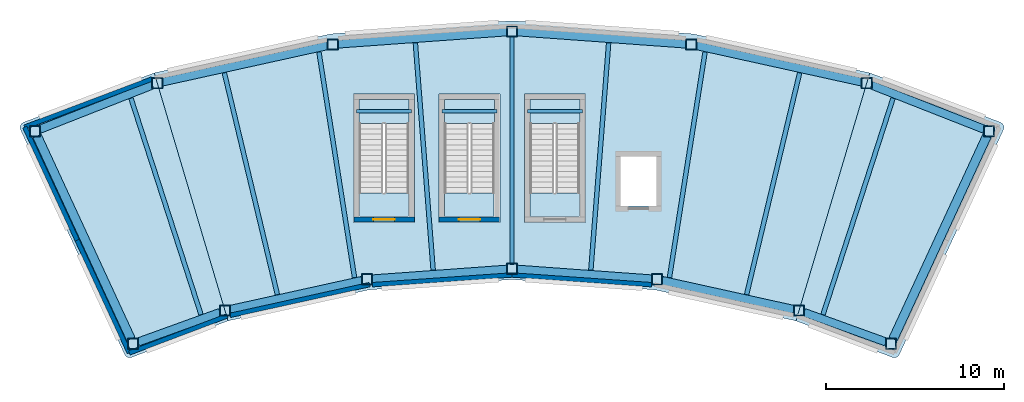
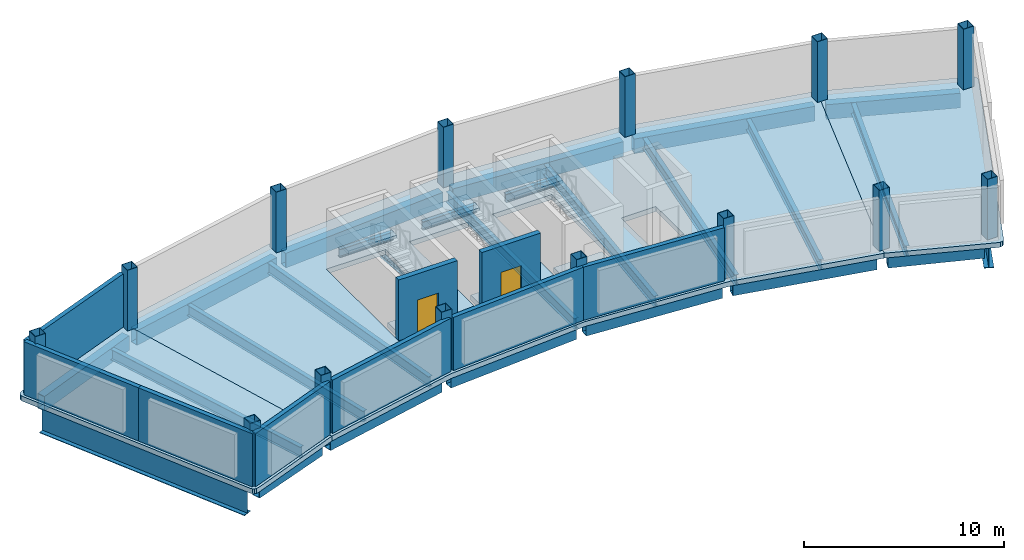
# One storey, part 1 of 3: 26 beams, 14 columns, 9 slabs, 9 walls, 2 doors, 2 openings, 3 elements without a shape of their own.
"""IFC4 building model written with IfcOpenShell, lengths in metres."""

from ifc_helpers import new_model, si_unit, direction, frame, frame_2d, origin, origin_2d, place, context, subcontext, project, spatial, polyline, rectangle, hollow_rectangle, i_section, outline, extrude, material, layer, layer_set, material_profile, profile_set, type_object, element, fill, aggregate, save


model = new_model("IFC4")

# Units and contexts
model_context = context("Model", 3, precision=1e-05, world=origin(), true_north=direction((0.0, 1.0)))
body_context = subcontext(model_context, "Body", "Model", "MODEL_VIEW")
ifc_project = project(units=[si_unit("LENGTHUNIT", "METRE"), si_unit("AREAUNIT", "SQUARE_METRE"), si_unit("VOLUMEUNIT", "CUBIC_METRE"), si_unit("PLANEANGLEUNIT", "RADIAN"), si_unit("MASSUNIT", "GRAM", prefix="KILO")], contexts=[model_context])

# Site, building, storey
site_placement = place(None, origin())
site = spatial("IfcSite", under=ifc_project, at=site_placement, CompositionType="ELEMENT")
building_placement = place(site_placement, origin())
building = spatial("IfcBuilding", under=site, at=building_placement, Name="Tuul Gate Civic Tower", CompositionType="ELEMENT")
storey_placement = place(building_placement, frame((0.0, 0.0, 372.10009765625)))
storey = spatial("IfcBuildingStorey", under=building, at=storey_placement, Name="Crown tier 2 upper", CompositionType="ELEMENT", Elevation=372.10009765625)

# Columns
ifc_material_1 = material(Name="Steel S355", Category="steel")
ifc_material_profile_1 = material_profile(ifc_material_1, hollow_rectangle(XDim=0.60009765625, YDim=0.60009765625, WallThickness=0.02490234375, at=origin_2d()), Name="BOX600x600x25")
ifc_profile_set_1 = profile_set([ifc_material_profile_1], Name="Steel S355")
column_type = type_object("IfcColumnType", Name="STR-COLUMN-BOX600x600x25", PredefinedType="COLUMN", material=ifc_profile_set_1)
for number, where, z_axis, x_axis, name in (
    (1, (29.001953125, 4.2119140625, 0.0), (0.0, 0.0, 1.0), (1.0, 0.0, 0.0), "Column"),
    (2, (22.125, 6.9140625, 0.0), (0.0, 0.0, 1.0), (1.0, 0.0, 0.0), "Column"),
    (3, (12.263916015625, 9.087890625, 0.0), (0.0, 0.0, 1.0), (1.0, 0.0, 0.0), "Column"),
    (4, (2.19189453125, 9.81689453125, 0.0), (0.0, 0.0, 1.0), (1.0, 0.0, 0.0), "Column"),
    (5, (-7.8798828125, 9.087890625, 0.0), (0.0, 0.0, 1.0), (1.0, 0.0, 0.0), "Column"),
    (6, (-17.740966796875, 6.9140625, 0.0), (0.0, 0.0, 1.0), (1.0, 0.0, 0.0), "Column"),
    (7, (-24.617919921875, 4.2119140625, 0.0), (0.0, 0.0, 1.0), (1.0, 0.0, 0.0), "Column"),
    (8, (-19.10107421875, -7.73291015625, 0.0), (0.0, 0.0, 1.0), (1.0, 0.0, 0.0), "Column"),
    (9, (-13.93798828125, -5.866943359375, 0.0), (0.0, 0.0, 1.0), (1.0, 0.0, 0.0), "Column"),
    (10, (-5.9580078125, -4.10791015625, 0.0), (0.0, 0.0, 1.0), (1.0, 0.0, 0.0), "Column"),
    (11, (2.19189453125, -3.51806640625, 0.0), (0.0, 0.0, 1.0), (1.0, 0.0, 0.0), "Column"),
    (12, (10.342041015625, -4.10791015625, 0.0), (0.0, 0.0, 1.0), (1.0, 0.0, 0.0), "Column"),
    (13, (18.322021484375, -5.866943359375, 0.0), (0.0, 0.0, 1.0), (1.0, 0.0, 0.0), "Column"),
    (14, (23.485107421875, -7.73291015625, 0.0), (0.0, 0.0, 1.0), (1.0, 0.0, 0.0), "Column"),
):
    element("IfcColumn", number, at=place(storey_placement, frame(where, z_axis=z_axis, x_axis=x_axis)), inside=storey, type_object=column_type, Name=name, PredefinedType="COLUMN", context=body_context, shape_type="SweptSolid", body=[
        extrude(hollow_rectangle(XDim=0.60009765625, YDim=0.60009765625, WallThickness=0.02490234375, at=origin_2d()), origin(), (0.0, 0.0, 1.0), 3.699951171875),
    ])

# Beams
ifc_material_2 = material(Name="Steel S355", Category="steel")
ifc_material_profile_2 = material_profile(ifc_material_2, i_section(OverallWidth=0.199951171875, OverallDepth=0.5, WebThickness=0.010009765625, FlangeThickness=0.01611328125, at=origin_2d()), Name="PG500x200x10x16")
ifc_profile_set_2 = profile_set([ifc_material_profile_2], Name="Steel S355")
beam_type_1 = type_object("IfcBeamType", Name="STR-FLOOR BEAM-PG500x200x10x16", PredefinedType="BEAM", material=ifc_profile_set_2)
for number, where, z_axis, x_axis, name in (
    (15, (-6.550048828125, 5.324951171875, 1.5498046875), (1.0, 0.0, 0.0), (0.0, 1.0, 0.0), "Landing support beam"),
    (16, (-1.75, 5.324951171875, 1.5498046875), (1.0, 0.0, 0.0), (0.0, 1.0, 0.0), "Landing support beam"),
):
    element("IfcBeam", number, at=place(storey_placement, frame(where, z_axis=z_axis, x_axis=x_axis)), inside=storey, type_object=beam_type_1, Name=name, PredefinedType="BEAM", context=body_context, shape_type="SweptSolid", body=[
        extrude(i_section(OverallWidth=0.199951171875, OverallDepth=0.5, WebThickness=0.010009765625, FlangeThickness=0.01611328125, at=origin_2d()), origin(), (0.0, 0.0, 1.0), 3.10009765625),
    ])
beam_1_placement = place(storey_placement, frame((3.050048828125, 5.324951171875, 1.5498046875), z_axis=(1.0, 0.0, 0.0), x_axis=(0.0, 1.0, 0.0)))
element("IfcBeam", 17, at=beam_1_placement, inside=storey, type_object=beam_type_1, Name="Landing support beam", PredefinedType="BEAM", context=body_context, shape_type="SweptSolid", body=[
    extrude(i_section(OverallWidth=0.199951171875, OverallDepth=0.5, WebThickness=0.010009765625, FlangeThickness=0.01611328125, at=origin_2d()), origin(), (0.0, 0.0, 1.0), 3.099853515625),
])
ifc_material_3 = material(Name="Steel S355", Category="steel")
ifc_material_profile_3 = material_profile(ifc_material_3, i_section(OverallWidth=0.25, OverallDepth=0.64990234375, WebThickness=0.011962890625, FlangeThickness=0.02001953125, at=origin_2d()), Name="PG650x250x12x20")
ifc_profile_set_3 = profile_set([ifc_material_profile_3], Name="Steel S355")
beam_type_2 = type_object("IfcBeamType", Name="STR-FLOOR BEAM-PG650x250x12x20", PredefinedType="BEAM", material=ifc_profile_set_3)
beam_2_placement = place(storey_placement, frame((19.66943359375, -6.088134765625, -0.625), z_axis=(0.308005003095, 0.951384737143, 0.0), x_axis=(-0.951384737143, 0.308005003095, 0.0)))
element("IfcBeam", 18, at=beam_2_placement, inside=storey, type_object=beam_type_2, Name="Floor beam", PredefinedType="BEAM", context=body_context, shape_type="SweptSolid", body=[
    extrude(i_section(OverallWidth=0.25, OverallDepth=0.64990234375, WebThickness=0.011962890625, FlangeThickness=0.02001953125, at=origin_2d()), origin(), (0.0, 0.0, 1.0), 12.773681640625),
])
beam_3_placement = place(storey_placement, frame((15.37646484375, -4.961669921875, -0.625), z_axis=(0.232696345939, 0.972549438634, 0.0), x_axis=(-0.972549438634, 0.232696345939, 0.0)))
element("IfcBeam", 19, at=beam_3_placement, inside=storey, type_object=beam_type_2, Name="Floor beam", PredefinedType="BEAM", context=body_context, shape_type="SweptSolid", body=[
    extrude(i_section(OverallWidth=0.25, OverallDepth=0.64990234375, WebThickness=0.011962890625, FlangeThickness=0.02001953125, at=origin_2d()), origin(), (0.0, 0.0, 1.0), 12.802001953125),
])
beam_4_placement = place(storey_placement, frame((11.04150390625, -4.006103515625, -0.625), z_axis=(0.155924445114, 0.987768984842, 0.0), x_axis=(-0.987768984842, 0.155924445114, 0.0)))
element("IfcBeam", 20, at=beam_4_placement, inside=storey, type_object=beam_type_2, Name="Floor beam", PredefinedType="BEAM", context=body_context, shape_type="SweptSolid", body=[
    extrude(i_section(OverallWidth=0.25, OverallDepth=0.64990234375, WebThickness=0.011962890625, FlangeThickness=0.02001953125, at=origin_2d()), origin(), (0.0, 0.0, 1.0), 12.823486328125),
])
beam_5_placement = place(storey_placement, frame((6.622314453125, -3.588134765625, -0.625), z_axis=(0.07819719226, 0.996937911368, 0.0), x_axis=(-0.996937911368, 0.07819719226, 0.0)))
element("IfcBeam", 21, at=beam_5_placement, inside=storey, type_object=beam_type_2, Name="Floor beam", PredefinedType="BEAM", context=body_context, shape_type="SweptSolid", body=[
    extrude(i_section(OverallWidth=0.25, OverallDepth=0.64990234375, WebThickness=0.011962890625, FlangeThickness=0.02001953125, at=origin_2d()), origin(), (0.0, 0.0, 1.0), 12.80078125),
])
beam_6_placement = place(storey_placement, frame((2.19189453125, -3.267333984375, -0.625), z_axis=(0.0, 1.0, 0.0), x_axis=(-1.0, 0.0, 0.0)))
element("IfcBeam", 22, at=beam_6_placement, inside=storey, type_object=beam_type_2, Name="Floor beam", PredefinedType="BEAM", context=body_context, shape_type="SweptSolid", body=[
    extrude(i_section(OverallWidth=0.25, OverallDepth=0.64990234375, WebThickness=0.011962890625, FlangeThickness=0.02001953125, at=origin_2d()), origin(), (0.0, 0.0, 1.0), 12.833740234375),
])
beam_7_placement = place(storey_placement, frame((-2.23828125, -3.588134765625, -0.625), z_axis=(-0.07819719226, 0.996937911368, 0.0), x_axis=(-0.996937911368, -0.07819719226, 0.0)))
element("IfcBeam", 23, at=beam_7_placement, inside=storey, type_object=beam_type_2, Name="Floor beam", PredefinedType="BEAM", context=body_context, shape_type="SweptSolid", body=[
    extrude(i_section(OverallWidth=0.25, OverallDepth=0.64990234375, WebThickness=0.011962890625, FlangeThickness=0.02001953125, at=origin_2d()), origin(), (0.0, 0.0, 1.0), 12.80078125),
])
beam_8_placement = place(storey_placement, frame((-6.657470703125, -4.006103515625, -0.625), z_axis=(-0.155924445114, 0.987768984842, 0.0), x_axis=(-0.987768984842, -0.155924445114, 0.0)))
element("IfcBeam", 24, at=beam_8_placement, inside=storey, type_object=beam_type_2, Name="Floor beam", PredefinedType="BEAM", context=body_context, shape_type="SweptSolid", body=[
    extrude(i_section(OverallWidth=0.25, OverallDepth=0.64990234375, WebThickness=0.011962890625, FlangeThickness=0.02001953125, at=origin_2d()), origin(), (0.0, 0.0, 1.0), 12.823486328125),
])
beam_9_placement = place(storey_placement, frame((-10.99267578125, -4.961669921875, -0.625), z_axis=(-0.232678308088, 0.97255375427, 0.0), x_axis=(-0.97255375427, -0.232678308088, 0.0)))
element("IfcBeam", 25, at=beam_9_placement, inside=storey, type_object=beam_type_2, Name="Floor beam", PredefinedType="BEAM", context=body_context, shape_type="SweptSolid", body=[
    extrude(i_section(OverallWidth=0.25, OverallDepth=0.64990234375, WebThickness=0.011962890625, FlangeThickness=0.02001953125, at=origin_2d()), origin(), (0.0, 0.0, 1.0), 12.802001953125),
])
beam_10_placement = place(storey_placement, frame((-15.285400390625, -6.088134765625, -0.625), z_axis=(-0.308005003095, 0.951384737143, 0.0), x_axis=(-0.951384737143, -0.308005003095, 0.0)))
element("IfcBeam", 26, at=beam_10_placement, inside=storey, type_object=beam_type_2, Name="Floor beam", PredefinedType="BEAM", context=body_context, shape_type="SweptSolid", body=[
    extrude(i_section(OverallWidth=0.25, OverallDepth=0.64990234375, WebThickness=0.011962890625, FlangeThickness=0.02001953125, at=origin_2d()), origin(), (0.0, 0.0, 1.0), 12.773681640625),
])
ifc_material_4 = material(Name="Steel S355", Category="steel")
ifc_material_profile_4 = material_profile(ifc_material_4, i_section(OverallWidth=0.5, OverallDepth=1.89990234375, WebThickness=0.02490234375, FlangeThickness=0.0400390625, at=origin_2d()), Name="PG1900x500x25x40")
ifc_profile_set_4 = profile_set([ifc_material_profile_4], Name="Steel S355")
beam_type_3 = type_object("IfcBeamType", Name="STR-RING BEAM-PG1900x500x25x40", PredefinedType="BEAM", material=ifc_profile_set_4)
for number, where, z_axis, x_axis, name in (
    (27, (-24.4921875, 3.939697265625, -1.25), (0.419298575663, -0.907848392876, 0.0), (0.907848392876, 0.419298575663, 0.0), "Spandrel beam"),
    (28, (23.61083984375, -7.460693359375, -1.25), (0.419298575663, 0.907848392876, 0.0), (-0.907848392876, 0.419298575663, 0.0), "Spandrel beam"),
):
    element("IfcBeam", number, at=place(storey_placement, frame(where, z_axis=z_axis, x_axis=x_axis)), inside=storey, type_object=beam_type_3, Name=name, PredefinedType="BEAM", context=body_context, shape_type="SweptSolid", body=[
        extrude(i_section(OverallWidth=0.5, OverallDepth=1.89990234375, WebThickness=0.02490234375, FlangeThickness=0.0400390625, at=origin_2d()), origin(), (0.0, 0.0, 1.0), 12.5576171875),
    ])
ifc_material_5 = material(Name="Steel S355", Category="steel")
ifc_material_profile_5 = material_profile(ifc_material_5, hollow_rectangle(XDim=0.449951171875, YDim=0.89990234375, WallThickness=0.02490234375, at=origin_2d()), Name="BOX900x450x25")
ifc_profile_set_5 = profile_set([ifc_material_profile_5], Name="Steel S355")
beam_type_4 = type_object("IfcBeamType", Name="STR-SPANDREL BEAM-BOX900x450x25", PredefinedType="BEAM", material=ifc_profile_set_5)
beam_11_placement = place(storey_placement, frame((28.722900390625, 4.32177734375, -0.75), z_axis=(-0.930745810853, 0.365666836859, 0.0), x_axis=(-0.365666836859, -0.930745810853, 0.0)))
element("IfcBeam", 29, at=beam_11_placement, inside=storey, type_object=beam_type_4, Name="Spandrel beam", PredefinedType="BEAM", context=body_context, shape_type="SweptSolid", body=[
    extrude(hollow_rectangle(XDim=0.449951171875, YDim=0.89990234375, WallThickness=0.02490234375, at=origin_2d()), origin(), (0.0, 0.0, 1.0), 6.788818359375),
])
beam_12_placement = place(storey_placement, frame((21.83203125, 6.978515625, -0.75), z_axis=(-0.976547383692, 0.215302594978, 0.0), x_axis=(-0.215302594978, -0.976547383692, 0.0)))
element("IfcBeam", 30, at=beam_12_placement, inside=storey, type_object=beam_type_4, Name="Spandrel beam", PredefinedType="BEAM", context=body_context, shape_type="SweptSolid", body=[
    extrude(hollow_rectangle(XDim=0.449951171875, YDim=0.89990234375, WallThickness=0.02490234375, at=origin_2d()), origin(), (0.0, 0.0, 1.0), 9.497802734375),
])
for number, where, z_axis, x_axis, name in (
    (31, (11.96484375, 9.109619140625, -0.75), (-0.997390136919, 0.072200517849, 0.0), (-0.072200517849, -0.997390136919, 0.0), "Spandrel beam"),
    (32, (1.892822265625, 9.79541015625, -0.75), (-0.997390136919, -0.072200517849, 0.0), (0.072200517849, -0.997390136919, 0.0), "Spandrel beam"),
):
    element("IfcBeam", number, at=place(storey_placement, frame(where, z_axis=z_axis, x_axis=x_axis)), inside=storey, type_object=beam_type_4, Name=name, PredefinedType="BEAM", context=body_context, shape_type="SweptSolid", body=[
        extrude(hollow_rectangle(XDim=0.449951171875, YDim=0.89990234375, WallThickness=0.02490234375, at=origin_2d()), origin(), (0.0, 0.0, 1.0), 9.49853515625),
    ])
beam_13_placement = place(storey_placement, frame((-8.1728515625, 9.0234375, -0.75), z_axis=(-0.976547383692, -0.215302594978, 0.0), x_axis=(0.215302594978, -0.976547383692, 0.0)))
element("IfcBeam", 33, at=beam_13_placement, inside=storey, type_object=beam_type_4, Name="Spandrel beam", PredefinedType="BEAM", context=body_context, shape_type="SweptSolid", body=[
    extrude(hollow_rectangle(XDim=0.449951171875, YDim=0.89990234375, WallThickness=0.02490234375, at=origin_2d()), origin(), (0.0, 0.0, 1.0), 9.497802734375),
])
beam_14_placement = place(storey_placement, frame((-18.020263671875, 6.80419921875, -0.75), z_axis=(-0.930745810853, -0.365666836859, 0.0), x_axis=(0.365666836859, -0.930745810853, 0.0)))
element("IfcBeam", 34, at=beam_14_placement, inside=storey, type_object=beam_type_4, Name="Spandrel beam", PredefinedType="BEAM", context=body_context, shape_type="SweptSolid", body=[
    extrude(hollow_rectangle(XDim=0.449951171875, YDim=0.89990234375, WallThickness=0.02490234375, at=origin_2d()), origin(), (0.0, 0.0, 1.0), 6.788818359375),
])
beam_15_placement = place(storey_placement, frame((-18.81884765625, -7.631103515625, -0.75), z_axis=(0.940456389295, 0.339914371327, 0.0), x_axis=(-0.339914371327, 0.940456389295, 0.0)))
element("IfcBeam", 35, at=beam_15_placement, inside=storey, type_object=beam_type_4, Name="Spandrel beam", PredefinedType="BEAM", context=body_context, shape_type="SweptSolid", body=[
    extrude(hollow_rectangle(XDim=0.449951171875, YDim=0.89990234375, WallThickness=0.02490234375, at=origin_2d()), origin(), (0.0, 0.0, 1.0), 4.889892578125),
])
beam_16_placement = place(storey_placement, frame((-13.64501953125, -5.802490234375, -0.75), z_axis=(0.97655588073, 0.215264051369, 0.0), x_axis=(-0.215264051369, 0.97655588073, 0.0)))
element("IfcBeam", 36, at=beam_16_placement, inside=storey, type_object=beam_type_4, Name="Spandrel beam", PredefinedType="BEAM", context=body_context, shape_type="SweptSolid", body=[
    extrude(hollow_rectangle(XDim=0.449951171875, YDim=0.89990234375, WallThickness=0.02490234375, at=origin_2d()), origin(), (0.0, 0.0, 1.0), 7.571533203125),
])
for number, where, z_axis, x_axis, name in (
    (37, (-5.65869140625, -4.08642578125, -0.75), (0.997387995308, 0.072230096327, 0.0), (-0.072230096327, 0.997387995308, 0.0), "Spandrel beam"),
    (38, (2.4912109375, -3.53955078125, -0.75), (0.997387995308, -0.072230096327, 0.0), (0.072230096327, 0.997387995308, 0.0), "Spandrel beam"),
):
    element("IfcBeam", number, at=place(storey_placement, frame(where, z_axis=z_axis, x_axis=x_axis)), inside=storey, type_object=beam_type_4, Name=name, PredefinedType="BEAM", context=body_context, shape_type="SweptSolid", body=[
        extrude(hollow_rectangle(XDim=0.449951171875, YDim=0.89990234375, WallThickness=0.02490234375, at=origin_2d()), origin(), (0.0, 0.0, 1.0), 7.5712890625),
    ])
beam_17_placement = place(storey_placement, frame((10.635009765625, -4.172607421875, -0.75), z_axis=(0.97655588073, -0.215264051369, 0.0), x_axis=(0.215264051369, 0.97655588073, 0.0)))
element("IfcBeam", 39, at=beam_17_placement, inside=storey, type_object=beam_type_4, Name="Spandrel beam", PredefinedType="BEAM", context=body_context, shape_type="SweptSolid", body=[
    extrude(hollow_rectangle(XDim=0.449951171875, YDim=0.89990234375, WallThickness=0.02490234375, at=origin_2d()), origin(), (0.0, 0.0, 1.0), 7.571533203125),
])
beam_18_placement = place(storey_placement, frame((18.604248046875, -5.968994140625, -0.75), z_axis=(0.940456389295, -0.339914371327, 0.0), x_axis=(0.339914371327, 0.940456389295, 0.0)))
element("IfcBeam", 40, at=beam_18_placement, inside=storey, type_object=beam_type_4, Name="Spandrel beam", PredefinedType="BEAM", context=body_context, shape_type="SweptSolid", body=[
    extrude(hollow_rectangle(XDim=0.449951171875, YDim=0.89990234375, WallThickness=0.02490234375, at=origin_2d()), origin(), (0.0, 0.0, 1.0), 4.889892578125),
])

# Stair, slab
ifc_material_6 = material(Name="Concrete C40/50", Category="concrete")
stair_type = type_object("IfcStairType", Name="Exit stair", PredefinedType="HALF_TURN_STAIR", material=ifc_material_6)
stair_1_placement = place(storey_placement, origin())
stair_1 = element("IfcStair", 41, at=stair_1_placement, inside=storey, type_object=stair_type, Name="Crown tier 2 upper ST-5", PredefinedType="HALF_TURN_STAIR")
ifc_material_7 = material(Name="Concrete C40/50", Category="concrete")
ifc_layer_1 = layer(ifc_material_7, 0.199951171875)
ifc_layer_set_1 = layer_set([ifc_layer_1], Name="Concrete C40/50")
slab_type_1 = type_object("IfcSlabType", Name="Exit stair landing", PredefinedType="LANDING", material=ifc_layer_set_1)
slab_1_placement = place(storey_placement, frame((0.0, 0.0, 1.7998046875)))
slab_1 = element("IfcSlab", 42, at=slab_1_placement, type_object=slab_type_1, Name="ST-5 landing 1", PredefinedType="LANDING", context=body_context, shape_type="SweptSolid", body=[
    extrude(outline(polyline([(-3.59912109375, 4.649169921875), (-6.40087890625, 4.649169921875), (-6.40087890625, 6.000732421875), (-3.59912109375, 6.000732421875), (-3.59912109375, 4.649169921875)])), origin(), (0.0, 0.0, 1.0), 0.2001953125),
])
aggregate(stair_1, [slab_1])

stair_2_placement = place(storey_placement, origin())
stair_2 = element("IfcStair", 43, at=stair_2_placement, inside=storey, type_object=stair_type, Name="Crown tier 2 upper ST-6", PredefinedType="HALF_TURN_STAIR")
slab_2_placement = place(storey_placement, frame((0.0, 0.0, 1.7998046875)))
slab_2 = element("IfcSlab", 44, at=slab_2_placement, type_object=slab_type_1, Name="ST-6 landing 1", PredefinedType="LANDING", context=body_context, shape_type="SweptSolid", body=[
    extrude(outline(polyline([(1.20068359375, 4.649169921875), (-1.600830078125, 4.649169921875), (-1.600830078125, 6.000732421875), (1.20068359375, 6.000732421875), (1.20068359375, 4.649169921875)])), origin(), (0.0, 0.0, 1.0), 0.2001953125),
])
aggregate(stair_2, [slab_2])

stair_3_placement = place(storey_placement, origin())
stair_3 = element("IfcStair", 45, at=stair_3_placement, inside=storey, type_object=stair_type, Name="Crown tier 2 upper ST-7", PredefinedType="HALF_TURN_STAIR")
slab_3_placement = place(storey_placement, frame((0.0, 0.0, 1.7998046875)))
slab_3 = element("IfcSlab", 46, at=slab_3_placement, type_object=slab_type_1, Name="ST-7 landing 1", PredefinedType="LANDING", context=body_context, shape_type="SweptSolid", body=[
    extrude(outline(polyline([(6.000732421875, 4.649169921875), (3.19921875, 4.649169921875), (3.19921875, 6.000732421875), (6.000732421875, 6.000732421875), (6.000732421875, 4.649169921875)])), origin(), (0.0, 0.0, 1.0), 0.2001953125),
])
aggregate(stair_3, [slab_3])

# Slabs
ifc_material_8 = material(Name="Concrete C35/45", Category="concrete")
ifc_layer_2 = layer(ifc_material_8, 0.300048828125)
ifc_layer_set_2 = layer_set([ifc_layer_2], Name="Concrete C35/45")
slab_type_2 = type_object("IfcSlabType", Name="STR-FLOOR-SLAB-300", PredefinedType="FLOOR", material=ifc_layer_set_2)
slab_4_placement = place(storey_placement, frame((0.0, 0.0, -0.300048828125)))
element("IfcSlab", 47, at=slab_4_placement, inside=storey, type_object=slab_type_2, Name="Crown tier 2 upper/slab/W", PredefinedType="FLOOR", context=body_context, shape_type="SweptSolid", body=[
    extrude(outline(polyline([(-13.76611328125, -6.443115234375), (-17.912109375, 7.490966796875), (-25.260986328125, 4.7119140625), (-25.364990234375, 4.64599609375), (-25.43310546875, 4.544921875), (-25.455078125, 4.424072265625), (-25.427978515625, 4.304931640625), (-19.569091796875, -8.340087890625), (-19.50390625, -8.430908203125), (-19.410888671875, -8.491943359375), (-19.301025390625, -8.513916015625), (-19.19091796875, -8.4951171875), (-13.76611328125, -6.443115234375)])), origin(), (0.0, 0.0, 1.0), 0.300048828125),
])
slab_5_placement = place(storey_placement, frame((0.0, 0.0, -0.300048828125)))
element("IfcSlab", 48, at=slab_5_placement, inside=storey, type_object=slab_type_2, Name="Crown tier 2 upper/slab/M", PredefinedType="FLOOR", context=body_context, shape_type="SweptSolid", body=[
    extrude(outline(polyline([(10.2548828125, -4.702880859375), (18.14990234375, -6.443115234375), (22.2958984375, 7.490966796875), (12.35009765625, 9.68310546875), (2.19189453125, 10.4189453125), (-7.966064453125, 9.68310546875), (-17.912109375, 7.490966796875), (-13.76611328125, -6.443115234375), (-5.87109375, -4.702880859375), (2.19189453125, -4.118896484375), (10.2548828125, -4.702880859375)]), holes=[polyline([(10.300048828125, 0.0), (8.300048828125, 0.0), (8.300048828125, 2.800048828125), (10.300048828125, 2.800048828125), (10.300048828125, 0.0)]), polyline([(-6.7099609375, -0.909912109375), (-6.7099609375, 6.31005859375), (-3.2900390625, 6.31005859375), (-3.2900390625, -0.909912109375), (-6.7099609375, -0.909912109375)]), polyline([(-1.909912109375, -0.909912109375), (-1.909912109375, 6.31005859375), (1.510009765625, 6.31005859375), (1.510009765625, -0.909912109375), (-1.909912109375, -0.909912109375)]), polyline([(2.889892578125, -0.909912109375), (2.889892578125, 6.31005859375), (6.31005859375, 6.31005859375), (6.31005859375, -0.909912109375), (2.889892578125, -0.909912109375)])]), origin(), (0.0, 0.0, 1.0), 0.300048828125),
])
slab_6_placement = place(storey_placement, frame((0.0, 0.0, -0.300048828125)))
element("IfcSlab", 49, at=slab_6_placement, inside=storey, type_object=slab_type_2, Name="Crown tier 2 upper/slab/M2", PredefinedType="FLOOR", context=body_context, shape_type="SweptSolid", body=[
    extrude(outline(polyline([(-3.610107421875, 0.75), (-6.389892578125, 0.75), (-6.389892578125, -0.590087890625), (-3.610107421875, -0.590087890625), (-3.610107421875, 0.75)])), origin(), (0.0, 0.0, 1.0), 0.300048828125),
])
slab_7_placement = place(storey_placement, frame((0.0, 0.0, -0.300048828125)))
element("IfcSlab", 50, at=slab_7_placement, inside=storey, type_object=slab_type_2, Name="Crown tier 2 upper/slab/M3", PredefinedType="FLOOR", context=body_context, shape_type="SweptSolid", body=[
    extrude(outline(polyline([(1.18994140625, 0.75), (-1.590087890625, 0.75), (-1.590087890625, -0.590087890625), (1.18994140625, -0.590087890625), (1.18994140625, 0.75)])), origin(), (0.0, 0.0, 1.0), 0.300048828125),
])
slab_8_placement = place(storey_placement, frame((0.0, 0.0, -0.300048828125)))
element("IfcSlab", 51, at=slab_8_placement, inside=storey, type_object=slab_type_2, Name="Crown tier 2 upper/slab/M4", PredefinedType="FLOOR", context=body_context, shape_type="SweptSolid", body=[
    extrude(outline(polyline([(3.2099609375, 0.75), (3.2099609375, -0.590087890625), (5.989990234375, -0.590087890625), (5.989990234375, 0.75), (3.2099609375, 0.75)])), origin(), (0.0, 0.0, 1.0), 0.300048828125),
])
slab_9_placement = place(storey_placement, frame((0.0, 0.0, -0.300048828125)))
element("IfcSlab", 52, at=slab_9_placement, inside=storey, type_object=slab_type_2, Name="Crown tier 2 upper/slab/E", PredefinedType="FLOOR", context=body_context, shape_type="SweptSolid", body=[
    extrude(outline(polyline([(23.887939453125, -8.430908203125), (23.952880859375, -8.340087890625), (29.81201171875, 4.304931640625), (29.839111328125, 4.424072265625), (29.81689453125, 4.544921875), (29.7490234375, 4.64599609375), (29.64501953125, 4.7119140625), (22.2958984375, 7.490966796875), (18.14990234375, -6.443115234375), (23.574951171875, -8.4951171875), (23.68505859375, -8.513916015625), (23.794921875, -8.491943359375), (23.887939453125, -8.430908203125)])), origin(), (0.0, 0.0, 1.0), 0.300048828125),
])

# Wall, opening, door
ifc_material_9 = material(Name="Concrete C50/60", Category="concrete")
ifc_layer_3 = layer(ifc_material_9, 0.300048828125)
ifc_layer_set_3 = layer_set([ifc_layer_3], Name="Concrete C50/60")
wall_type_1 = type_object("IfcWallType", Name="Core wall C50/60", PredefinedType="SHEAR", material=ifc_layer_set_3)
wall_1_placement = place(storey_placement, frame((-3.300048828125, -0.75, -0.300048828125), z_axis=(0.0, 0.0, 1.0), x_axis=(-1.0, 0.0, 0.0)))
wall_1 = element("IfcWall", 53, at=wall_1_placement, inside=storey, type_object=wall_type_1, Name="Core wall", PredefinedType="SHEAR", context=body_context, shape_type="SweptSolid", body=[
    extrude(rectangle(XDim=3.39990234375, YDim=0.300048828125, at=frame_2d((1.699951171875, 0.0))), origin(), (0.0, 0.0, 1.0), 4.0),
])
opening_1_placement = place(wall_1_placement, frame((1.10009765625, 0.0, 0.300048828125)))
opening_1 = element("IfcOpeningElement", 54, at=opening_1_placement, cuts=wall_1, Name="Opening SD-ST-5", PredefinedType="OPENING", context=body_context, shape_type="SweptSolid", body=[
    extrude(rectangle(XDim=1.199951171875, YDim=2.10009765625, at=frame_2d((0.60009765625, 1.050048828125))), frame((0.0, 0.16015625, 0.0), z_axis=(0.0, -1.0, 0.0), x_axis=(1.0, 0.0, 0.0)), (0.0, 0.0, 1.0), 0.320068359375),
])
ifc_material_10 = material(Name="Steel", Category="steel")
door_type = type_object("IfcDoorType", Name="Stair door", OperationType="NOTDEFINED", PredefinedType="DOOR", material=ifc_material_10)
door_1_placement = place(opening_1_placement, origin())
door_1 = element("IfcDoor", 55, at=door_1_placement, inside=storey, type_object=door_type, Name="Stair door ST-5", OperationType="SINGLE_SWING_LEFT", OverallHeight=2.10009765625, OverallWidth=1.199951171875, PredefinedType="DOOR", context=body_context, shape_type="SweptSolid", body=[
    extrude(rectangle(XDim=1.199951171875, YDim=2.10009765625, at=frame_2d((0.60009765625, 1.050048828125))), frame((0.0, 0.02490234375, 0.0), z_axis=(0.0, -1.0, 0.0), x_axis=(1.0, 0.0, 0.0)), (0.0, 0.0, 1.0), 0.050048828125),
])
fill(opening_1, door_1)

wall_2_placement = place(storey_placement, frame((1.5, -0.75, -0.300048828125), z_axis=(0.0, 0.0, 1.0), x_axis=(-1.0, 0.0, 0.0)))
wall_2 = element("IfcWall", 56, at=wall_2_placement, inside=storey, type_object=wall_type_1, Name="Core wall", PredefinedType="SHEAR", context=body_context, shape_type="SweptSolid", body=[
    extrude(rectangle(XDim=3.39990234375, YDim=0.300048828125, at=frame_2d((1.699951171875, 0.0))), origin(), (0.0, 0.0, 1.0), 4.0),
])
opening_2_placement = place(wall_2_placement, frame((1.10009765625, 0.0, 0.300048828125)))
opening_2 = element("IfcOpeningElement", 57, at=opening_2_placement, cuts=wall_2, Name="Opening SD-ST-6", PredefinedType="OPENING", context=body_context, shape_type="SweptSolid", body=[
    extrude(rectangle(XDim=1.199951171875, YDim=2.10009765625, at=frame_2d((0.60009765625, 1.050048828125))), frame((0.0, 0.16015625, 0.0), z_axis=(0.0, -1.0, 0.0), x_axis=(1.0, 0.0, 0.0)), (0.0, 0.0, 1.0), 0.320068359375),
])
door_2_placement = place(opening_2_placement, origin())
door_2 = element("IfcDoor", 58, at=door_2_placement, inside=storey, type_object=door_type, Name="Stair door ST-6", OperationType="SINGLE_SWING_LEFT", OverallHeight=2.10009765625, OverallWidth=1.199951171875, PredefinedType="DOOR", context=body_context, shape_type="SweptSolid", body=[
    extrude(rectangle(XDim=1.199951171875, YDim=2.10009765625, at=frame_2d((0.60009765625, 1.050048828125))), frame((0.0, 0.02490234375, 0.0), z_axis=(0.0, -1.0, 0.0), x_axis=(1.0, 0.0, 0.0)), (0.0, 0.0, 1.0), 0.050048828125),
])
fill(opening_2, door_2)

# Walls
ifc_material_11 = material(Name="Precast concrete C40/50", Category="concrete")
ifc_layer_4 = layer(ifc_material_11, 0.25)
ifc_layer_set_4 = layer_set([ifc_layer_4], Name="Precast concrete C40/50")
wall_type_2 = type_object("IfcWallType", Name="External wall", PredefinedType="STANDARD", material=ifc_layer_set_4)
wall_3_placement = place(storey_placement, frame((-18.041015625, 7.1484375, 0.0), z_axis=(0.0, 0.0, 1.0), x_axis=(-0.935373959386, -0.353660226917, 0.0)))
element("IfcWall", 59, at=wall_3_placement, inside=storey, type_object=wall_type_2, Name="External wall", PredefinedType="STANDARD", context=body_context, shape_type="SweptSolid", body=[
    extrude(rectangle(XDim=7.642578125, YDim=0.25, at=frame_2d((3.8212890625, 0.0))), origin(), (0.0, 0.0, 1.0), 3.25),
])
wall_4_placement = place(storey_placement, frame((-25.189697265625, 4.445556640625, 0.0), z_axis=(0.0, 0.0, 1.0), x_axis=(0.420363755163, -0.907355670807, 0.0)))
element("IfcWall", 60, at=wall_4_placement, inside=storey, type_object=wall_type_2, Name="External wall", PredefinedType="STANDARD", context=body_context, shape_type="SweptSolid", body=[
    extrude(rectangle(XDim=7.006103515625, YDim=0.25, at=frame_2d((3.5029296875, 0.0))), origin(), (0.0, 0.0, 1.0), 3.25),
])
wall_5_placement = place(storey_placement, frame((-22.24462890625, -1.911376953125, 0.0), z_axis=(0.0, 0.0, 1.0), x_axis=(0.420379555062, -0.907348350793, 0.0)))
element("IfcWall", 61, at=wall_5_placement, inside=storey, type_object=wall_type_2, Name="External wall", PredefinedType="STANDARD", context=body_context, shape_type="SweptSolid", body=[
    extrude(rectangle(XDim=6.980712890625, YDim=0.25, at=frame_2d((3.490234375, 0.0))), origin(), (0.0, 0.0, 1.0), 3.25),
])
wall_6_placement = place(storey_placement, frame((-19.31005859375, -8.245361328125, 0.0), z_axis=(0.0, 0.0, 1.0), x_axis=(0.935371336627, 0.353667163611, 0.0)))
element("IfcWall", 62, at=wall_6_placement, inside=storey, type_object=wall_type_2, Name="External wall", PredefinedType="STANDARD", context=body_context, shape_type="SweptSolid", body=[
    extrude(rectangle(XDim=5.876708984375, YDim=0.25, at=frame_2d((2.9384765625, 0.0))), origin(), (0.0, 0.0, 1.0), 3.25),
])
wall_7_placement = place(storey_placement, frame((-13.637939453125, -6.13330078125, 0.0), z_axis=(0.0, 0.0, 1.0), x_axis=(0.976553353114, 0.215275517701, 0.0)))
element("IfcWall", 63, at=wall_7_placement, inside=storey, type_object=wall_type_2, Name="External wall", PredefinedType="STANDARD", context=body_context, shape_type="SweptSolid", body=[
    extrude(rectangle(XDim=8.0146484375, YDim=0.25, at=frame_2d((4.00732421875, 0.0))), origin(), (0.0, 0.0, 1.0), 3.25),
])
wall_8_placement = place(storey_placement, frame((-5.64892578125, -4.4111328125, 0.0), z_axis=(0.0, 0.0, 1.0), x_axis=(0.997585121241, 0.069454487828, 0.0)))
element("IfcWall", 64, at=wall_8_placement, inside=storey, type_object=wall_type_2, Name="External wall", PredefinedType="STANDARD", context=body_context, shape_type="SweptSolid", body=[
    extrude(rectangle(XDim=7.85986328125, YDim=0.25, at=frame_2d((3.929931640625, 0.0))), origin(), (0.0, 0.0, 1.0), 3.25),
])
wall_9_placement = place(storey_placement, frame((2.19189453125, -3.865234375, 0.0), z_axis=(0.0, 0.0, 1.0), x_axis=(0.997585271074, -0.069452335714, 0.0)))
element("IfcWall", 65, at=wall_9_placement, inside=storey, type_object=wall_type_2, Name="External wall", PredefinedType="STANDARD", context=body_context, shape_type="SweptSolid", body=[
    extrude(rectangle(XDim=7.860107421875, YDim=0.25, at=frame_2d((3.93017578125, 0.0))), origin(), (0.0, 0.0, 1.0), 3.25),
])

save(model, "model.ifc")
